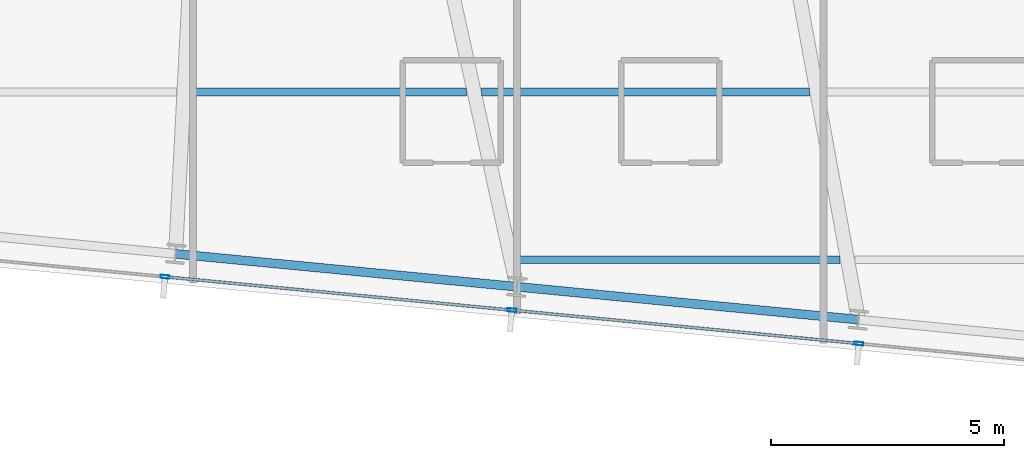
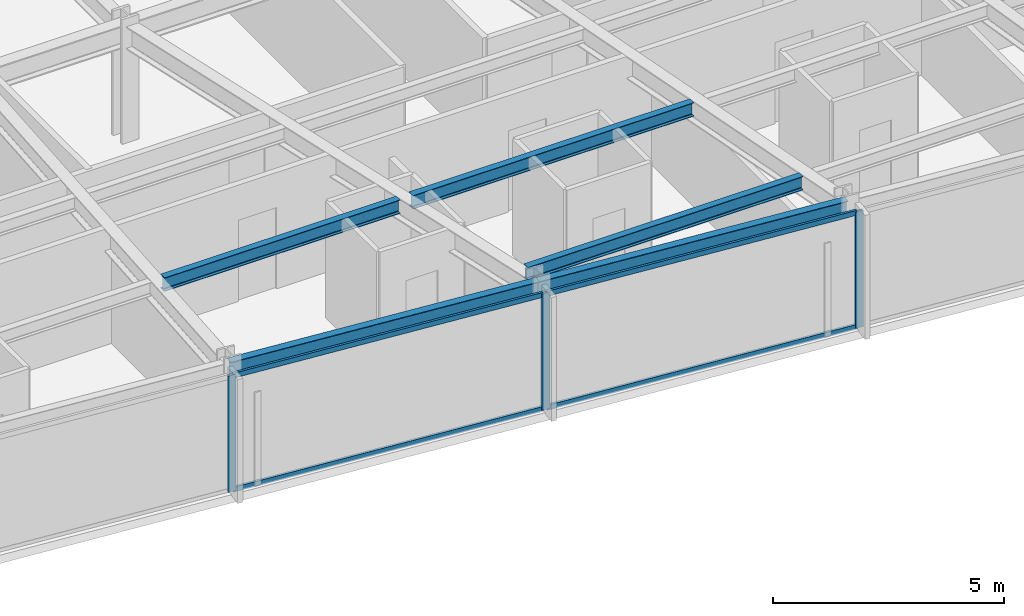
# One storey, part 6 of 36: 7 members, 5 beams, 1 element without a shape of its own.
"""IFC4 building model written with IfcOpenShell, lengths in metres."""

from ifc_helpers import new_model, si_unit, direction, frame, origin, origin_2d, place, context, subcontext, project, spatial, hollow_rectangle, i_section, extrude, material, material_profile, profile_set, type_object, element, aggregate, save


model = new_model("IFC4")

# Units and contexts
model_context = context("Model", 3, precision=1e-05, world=origin(), true_north=direction((0.0, 1.0)))
body_context = subcontext(model_context, "Body", "Model", "MODEL_VIEW")
ifc_project = project(units=[si_unit("LENGTHUNIT", "METRE"), si_unit("AREAUNIT", "SQUARE_METRE"), si_unit("VOLUMEUNIT", "CUBIC_METRE"), si_unit("PLANEANGLEUNIT", "RADIAN"), si_unit("MASSUNIT", "GRAM", prefix="KILO")], contexts=[model_context])

# Site, building, storey
site_placement = place(None, origin())
site = spatial("IfcSite", under=ifc_project, at=site_placement, CompositionType="ELEMENT")
building_placement = place(site_placement, origin())
building = spatial("IfcBuilding", under=site, at=building_placement, Name="Yelkora Congress Tower", CompositionType="ELEMENT")
storey_placement = place(building_placement, frame((0.0, 0.0, 152.300048828125)))
storey = spatial("IfcBuildingStorey", under=building, at=storey_placement, Name="L41", CompositionType="ELEMENT", Elevation=152.300048828125)

# Beams
ifc_material_1 = material(Name="Steel S355J2", Category="steel")
ifc_material_profile_1 = material_profile(ifc_material_1, i_section(OverallWidth=0.169921875, OverallDepth=0.360107421875, WebThickness=0.008056640625, FlangeThickness=0.0126953125, FilletRadius=0.01806640625, at=origin_2d()), Name="IPE 360")
ifc_profile_set_1 = profile_set([ifc_material_profile_1], Name="Steel S355J2")
beam_type_1 = type_object("IfcBeamType", Name="BM-JOIST-IPE360", PredefinedType="JOIST", material=ifc_profile_set_1)
beam_1_placement = place(storey_placement, frame((25.921630859375, 12.8212890625, 2.89990234375), z_axis=(1.0, 0.0, 0.0), x_axis=(0.0, 1.0, 0.0)))
element("IfcBeam", 1, at=beam_1_placement, inside=storey, type_object=beam_type_1, Name="L41 Composite Floor Joist 1", PredefinedType="JOIST", context=body_context, shape_type="SweptSolid", body=[
    extrude(i_section(OverallWidth=0.169921875, OverallDepth=0.360107421875, WebThickness=0.008056640625, FlangeThickness=0.0126953125, FilletRadius=0.01806640625, at=origin_2d()), origin(), (0.0, 0.0, 1.0), 6.896484375),
])
beam_2_placement = place(storey_placement, frame((18.905517578125, 16.421142578125, 2.89990234375), z_axis=(1.0, 0.0, 0.0), x_axis=(0.0, 1.0, 0.0)))
element("IfcBeam", 2, at=beam_2_placement, inside=storey, type_object=beam_type_1, Name="L41 Composite Floor Joist 7", PredefinedType="JOIST", context=body_context, shape_type="SweptSolid", body=[
    extrude(i_section(OverallWidth=0.169921875, OverallDepth=0.360107421875, WebThickness=0.008056640625, FlangeThickness=0.0126953125, FilletRadius=0.01806640625, at=origin_2d()), origin(), (0.0, 0.0, 1.0), 5.904541015625),
])
beam_3_placement = place(storey_placement, frame((25.130126953125, 16.421142578125, 2.89990234375), z_axis=(1.0, 0.0, 0.0), x_axis=(0.0, 1.0, 0.0)))
element("IfcBeam", 3, at=beam_3_placement, inside=storey, type_object=beam_type_1, Name="L41 Composite Floor Joist 8", PredefinedType="JOIST", context=body_context, shape_type="SweptSolid", body=[
    extrude(i_section(OverallWidth=0.169921875, OverallDepth=0.360107421875, WebThickness=0.008056640625, FlangeThickness=0.0126953125, FilletRadius=0.01806640625, at=origin_2d()), origin(), (0.0, 0.0, 1.0), 7.03125),
])
ifc_material_profile_2 = material_profile(ifc_material_1, i_section(OverallWidth=0.18994140625, OverallDepth=0.449951171875, WebThickness=0.009521484375, FlangeThickness=0.0146484375, FilletRadius=0.02099609375, at=origin_2d()), Name="IPE 450")
ifc_profile_set_2 = profile_set([ifc_material_profile_2], Name="Steel S355J2")
beam_type_2 = type_object("IfcBeamType", Name="BM-SPAN-IPE450", PredefinedType="SPANDREL", material=ifc_profile_set_2)
beam_4_placement = place(storey_placement, frame((18.56591796875, 12.947021484375, 2.85498046875), z_axis=(0.99539363353, -0.09587238564, 0.0), x_axis=(0.09587238564, 0.99539363353, 0.0)))
element("IfcBeam", 4, at=beam_4_placement, inside=storey, type_object=beam_type_2, Name="L41 Perimeter Beam 4", PredefinedType="SPANDREL", context=body_context, shape_type="SweptSolid", body=[
    extrude(i_section(OverallWidth=0.18994140625, OverallDepth=0.449951171875, WebThickness=0.009521484375, FlangeThickness=0.0146484375, FilletRadius=0.02099609375, at=origin_2d()), origin(), (0.0, 0.0, 1.0), 7.35693359375),
])
beam_5_placement = place(storey_placement, frame((25.888916015625, 12.24169921875, 2.85498046875), z_axis=(0.995397409467, -0.095833173935, 0.0), x_axis=(0.095833173935, 0.995397409467, 0.0)))
element("IfcBeam", 5, at=beam_5_placement, inside=storey, type_object=beam_type_2, Name="L41 Perimeter Beam 5", PredefinedType="SPANDREL", context=body_context, shape_type="SweptSolid", body=[
    extrude(i_section(OverallWidth=0.18994140625, OverallDepth=0.449951171875, WebThickness=0.009521484375, FlangeThickness=0.0146484375, FilletRadius=0.02099609375, at=origin_2d()), origin(), (0.0, 0.0, 1.0), 7.357421875),
])

# Curtain wall, members
ifc_material_2 = material(Name="Anodised aluminium and insulated glass", Category="aluminium")
curtain_wall_type = type_object("IfcCurtainWallType", Name="CW-SYS-B3", PredefinedType="NOTDEFINED", material=ifc_material_2)
curtain_wall_placement = place(storey_placement, origin())
curtain_wall = element("IfcCurtainWall", 6, at=curtain_wall_placement, inside=storey, type_object=curtain_wall_type, Name="L41 Unitised Curtain Wall 20", PredefinedType="NOTDEFINED")
ifc_material_3 = material(Name="Anodised aluminium 6063-T6", Category="aluminium")
ifc_material_profile_3 = material_profile(ifc_material_3, hollow_rectangle(XDim=0.070068359375, YDim=0.18994140625, WallThickness=0.00390625, at=origin_2d()), Name="ALU 70x190x4")
ifc_profile_set_3 = profile_set([ifc_material_profile_3], Name="Anodised aluminium 6063-T6")
member_type_1 = type_object("IfcMemberType", Name="MEM-ML-B3", PredefinedType="MULLION", material=ifc_profile_set_3)
member_1_placement = place(storey_placement, frame((33.2216796875, 11.0234375, 0.0), z_axis=(0.0, 0.0, 1.0), x_axis=(-0.095844680679, -0.995396301573, 0.0)))
member_1 = element("IfcMember", 7, at=member_1_placement, type_object=member_type_1, Name="CW-B3 mullion 4", PredefinedType="MULLION", context=body_context, shape_type="SweptSolid", body=[
    extrude(hollow_rectangle(XDim=0.070068359375, YDim=0.18994140625, WallThickness=0.00390625, at=origin_2d()), origin(), (0.0, 0.0, 1.0), 3.079833984375),
])
member_2_placement = place(storey_placement, frame((25.78173828125, 11.73974609375, 0.0), z_axis=(0.0, 0.0, 1.0), x_axis=(-0.095844680679, -0.995396301573, 0.0)))
member_2 = element("IfcMember", 8, at=member_2_placement, type_object=member_type_1, Name="CW-B3 mullion 5", PredefinedType="MULLION", context=body_context, shape_type="SweptSolid", body=[
    extrude(hollow_rectangle(XDim=0.070068359375, YDim=0.18994140625, WallThickness=0.00390625, at=origin_2d()), origin(), (0.0, 0.0, 1.0), 3.079833984375),
])
member_3_placement = place(storey_placement, frame((18.342041015625, 12.4560546875, 0.0), z_axis=(0.0, 0.0, 1.0), x_axis=(-0.095844680679, -0.995396301573, 0.0)))
member_3 = element("IfcMember", 9, at=member_3_placement, type_object=member_type_1, Name="CW-B3 mullion 6", PredefinedType="MULLION", context=body_context, shape_type="SweptSolid", body=[
    extrude(hollow_rectangle(XDim=0.070068359375, YDim=0.18994140625, WallThickness=0.00390625, at=origin_2d()), origin(), (0.0, 0.0, 1.0), 3.079833984375),
])
ifc_material_profile_4 = material_profile(ifc_material_3, hollow_rectangle(XDim=0.06005859375, YDim=0.1298828125, WallThickness=0.00390625, at=origin_2d()), Name="ALU 60x130x4")
ifc_profile_set_4 = profile_set([ifc_material_profile_4], Name="Anodised aluminium 6063-T6")
member_type_2 = type_object("IfcMemberType", Name="MEM-TR-B3", PredefinedType="USERDEFINED", material=ifc_profile_set_4)
member_4_placement = place(storey_placement, frame((33.18701171875, 11.02685546875, 0.030029296875), z_axis=(-0.995398934959, 0.095817327669, 0.0), x_axis=(-0.095817327669, -0.995398934959, 0.0)))
member_4 = element("IfcMember", 10, at=member_4_placement, type_object=member_type_2, Name="CW-B3 transom 4.1", ObjectType="TRANSOM", PredefinedType="USERDEFINED", context=body_context, shape_type="SweptSolid", body=[
    extrude(hollow_rectangle(XDim=0.06005859375, YDim=0.1298828125, WallThickness=0.00390625, at=origin_2d()), origin(), (0.0, 0.0, 1.0), 7.404541015625),
])
member_5_placement = place(storey_placement, frame((33.18701171875, 11.02685546875, 3.050048828125), z_axis=(-0.995398934959, 0.095817327669, 0.0), x_axis=(-0.095817327669, -0.995398934959, 0.0)))
member_5 = element("IfcMember", 11, at=member_5_placement, type_object=member_type_2, Name="CW-B3 transom 4.2", ObjectType="TRANSOM", PredefinedType="USERDEFINED", context=body_context, shape_type="SweptSolid", body=[
    extrude(hollow_rectangle(XDim=0.06005859375, YDim=0.1298828125, WallThickness=0.00390625, at=origin_2d()), origin(), (0.0, 0.0, 1.0), 7.404541015625),
])
member_6_placement = place(storey_placement, frame((25.7470703125, 11.7431640625, 0.030029296875), z_axis=(-0.995395789658, 0.095849997036, 0.0), x_axis=(-0.095849997036, -0.995395789658, 0.0)))
member_6 = element("IfcMember", 12, at=member_6_placement, type_object=member_type_2, Name="CW-B3 transom 5.1", ObjectType="TRANSOM", PredefinedType="USERDEFINED", context=body_context, shape_type="SweptSolid", body=[
    extrude(hollow_rectangle(XDim=0.06005859375, YDim=0.1298828125, WallThickness=0.00390625, at=origin_2d()), origin(), (0.0, 0.0, 1.0), 7.404541015625),
])
member_7_placement = place(storey_placement, frame((25.7470703125, 11.7431640625, 3.050048828125), z_axis=(-0.995395789658, 0.095849997036, 0.0), x_axis=(-0.095849997036, -0.995395789658, 0.0)))
member_7 = element("IfcMember", 13, at=member_7_placement, type_object=member_type_2, Name="CW-B3 transom 5.2", ObjectType="TRANSOM", PredefinedType="USERDEFINED", context=body_context, shape_type="SweptSolid", body=[
    extrude(hollow_rectangle(XDim=0.06005859375, YDim=0.1298828125, WallThickness=0.00390625, at=origin_2d()), origin(), (0.0, 0.0, 1.0), 7.404541015625),
])
aggregate(curtain_wall, [member_1, member_2, member_3, member_4, member_5, member_6, member_7])

save(model, "model.ifc")
